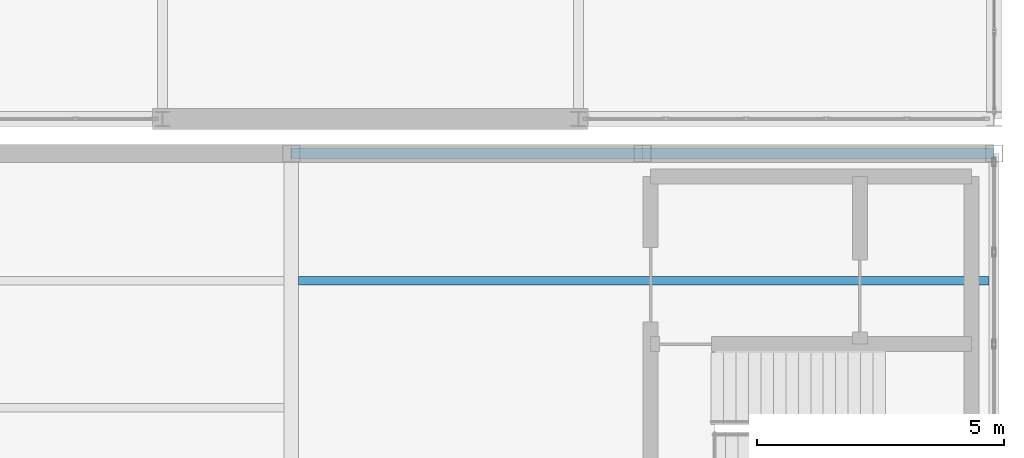
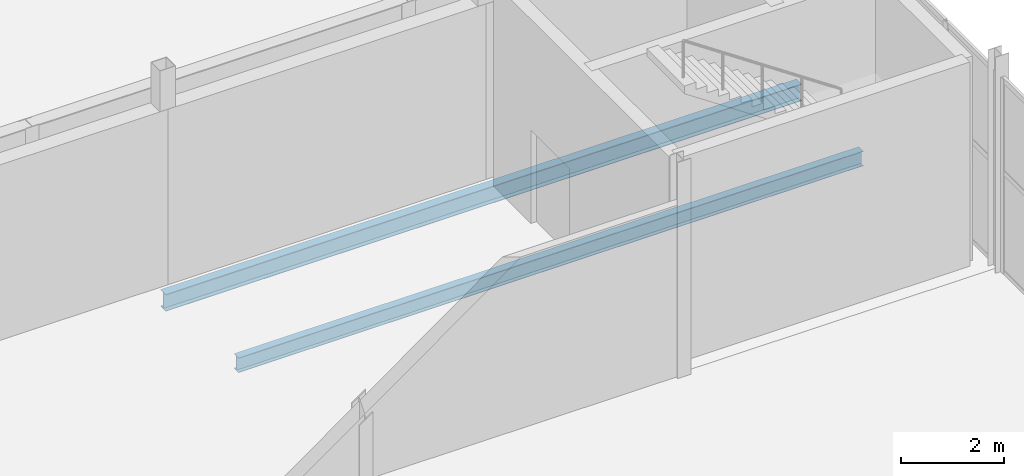
# One storey, part 149 of 218: 2 beams.
"""IFC4 building model written with IfcOpenShell, lengths in metres."""

from ifc_helpers import new_model, si_unit, direction, frame, origin, origin_2d, place, context, subcontext, project, spatial, i_section, extrude, material, material_profile, profile_set, type_object, element, save


model = new_model("IFC4")

# Units and contexts
model_context = context("Model", 3, precision=1e-05, world=origin(), true_north=direction((0.0, 1.0)))
body_context = subcontext(model_context, "Body", "Model", "MODEL_VIEW")
ifc_project = project(units=[si_unit("LENGTHUNIT", "METRE"), si_unit("AREAUNIT", "SQUARE_METRE"), si_unit("VOLUMEUNIT", "CUBIC_METRE"), si_unit("PLANEANGLEUNIT", "RADIAN"), si_unit("MASSUNIT", "GRAM", prefix="KILO")], contexts=[model_context])

# Site, building, storey
site_placement = place(None, origin())
site = spatial("IfcSite", under=ifc_project, at=site_placement, CompositionType="ELEMENT")
building_placement = place(site_placement, origin())
building = spatial("IfcBuilding", under=site, at=building_placement, Name="Kazenagashi Tramway Depot", CompositionType="ELEMENT")
storey_placement = place(building_placement, frame((0.0, 0.0, 6.0)))
storey = spatial("IfcBuildingStorey", under=building, at=storey_placement, Name="L02", CompositionType="ELEMENT", Elevation=6.0)

# Beams
ifc_material_1 = material(Name="Steel SN400B", Category="steel")
ifc_material_profile_1 = material_profile(ifc_material_1, i_section(OverallWidth=0.175, OverallDepth=0.35, WebThickness=0.007, FlangeThickness=0.011, at=origin_2d()), Name="H-350x175x7x11")
ifc_profile_set_1 = profile_set([ifc_material_profile_1], Name="Steel SN400B")
beam_type_1 = type_object("IfcBeamType", Name="J-01", PredefinedType="JOIST", material=ifc_profile_set_1)
beam_1_placement = place(storey_placement, frame((181.95, 66.733, -0.455), z_axis=(1.0, 0.0, 0.0), x_axis=(0.0, 1.0, 0.0)))
element("IfcBeam", 1, at=beam_1_placement, inside=storey, type_object=beam_type_1, Name="Beam J-01 BM-1350", PredefinedType="JOIST", context=body_context, shape_type="SweptSolid", body=[
    extrude(i_section(OverallWidth=0.175, OverallDepth=0.35, WebThickness=0.007, FlangeThickness=0.011, at=origin_2d()), origin(), (0.0, 0.0, 1.0), 13.95),
])
ifc_material_2 = material(Name="Steel SN490B", Category="steel")
ifc_material_profile_2 = material_profile(ifc_material_2, i_section(OverallWidth=0.2, OverallDepth=0.4, WebThickness=0.008, FlangeThickness=0.013, at=origin_2d()), Name="H-400x200x8x13")
ifc_profile_set_2 = profile_set([ifc_material_profile_2], Name="Steel SN490B")
beam_type_2 = type_object("IfcBeamType", Name="SP-04", PredefinedType="SPANDREL", material=ifc_profile_set_2)
beam_2_placement = place(storey_placement, frame((181.8, 69.3, -0.48), z_axis=(1.0, 0.0, 0.0), x_axis=(0.0, 1.0, 0.0)))
element("IfcBeam", 2, at=beam_2_placement, inside=storey, type_object=beam_type_2, Name="Beam SP-04 BM-1229", PredefinedType="SPANDREL", context=body_context, shape_type="SweptSolid", body=[
    extrude(i_section(OverallWidth=0.2, OverallDepth=0.4, WebThickness=0.008, FlangeThickness=0.013, at=origin_2d()), origin(), (0.0, 0.0, 1.0), 14.2),
])

save(model, "model.ifc")
